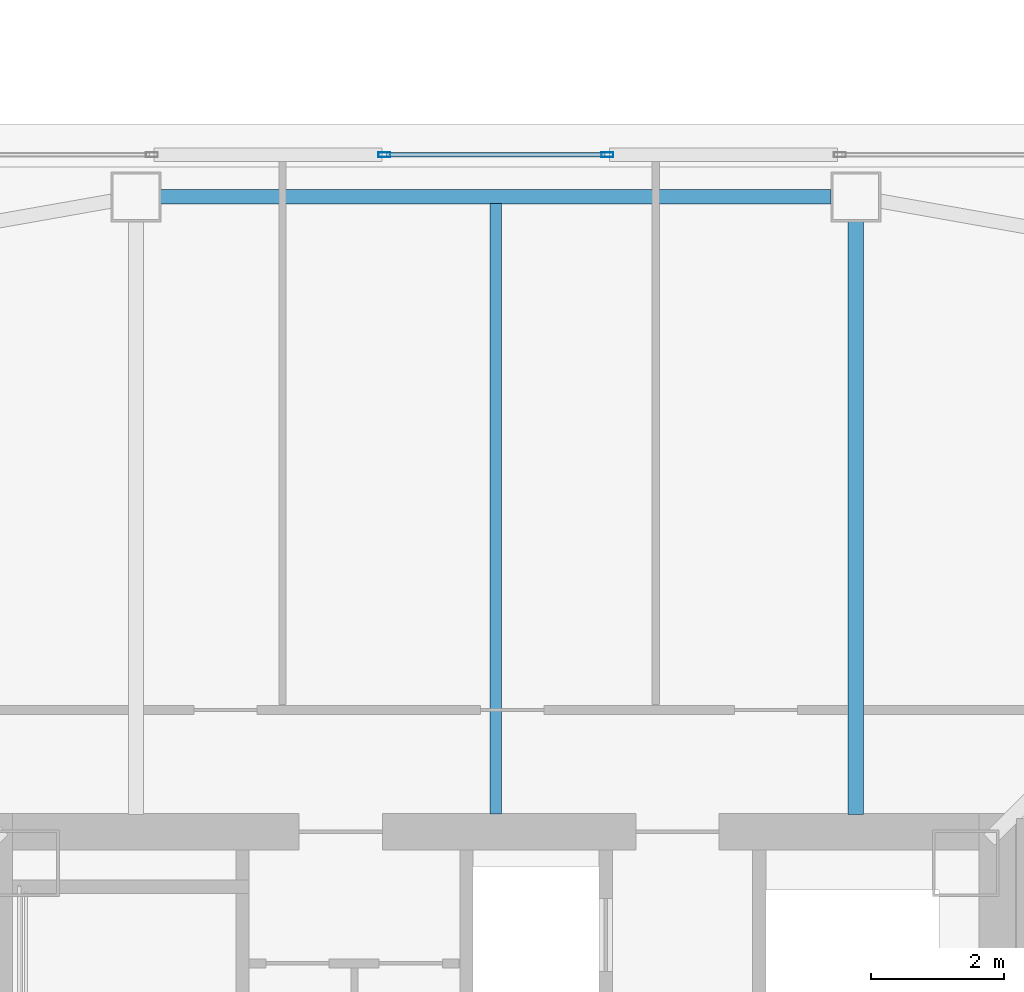
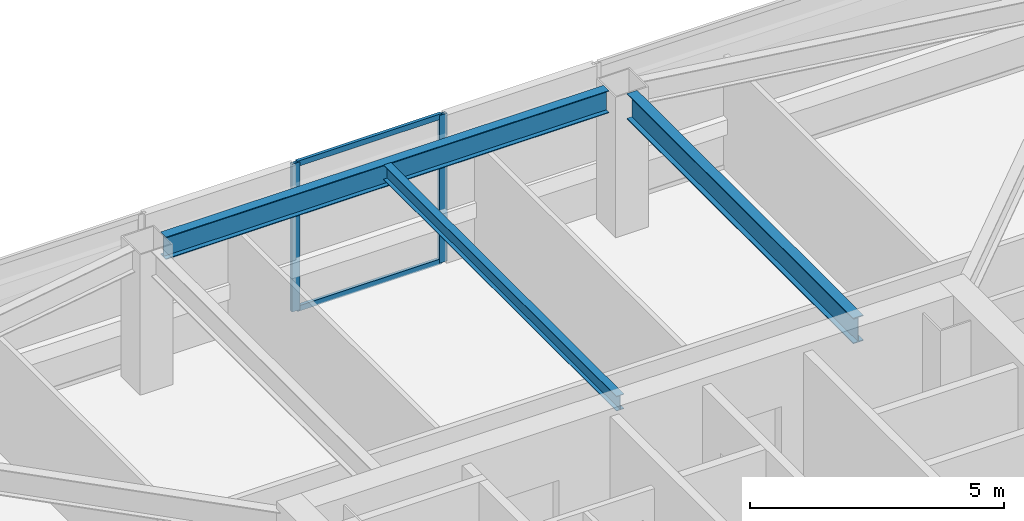
# One storey, part 13 of 43: 4 members, 3 beams, 1 element without a shape of its own.
"""IFC4 building model written with IfcOpenShell, lengths in metres."""

import ifcopenshell
import ifcopenshell.guid

model = None  # the IFC model being written
_history = None  # IfcOwnerHistory: only IFC2X3 demands one
_inside = {}  # id of a spatial element -> (the spatial element, [elements in it])
_under = {}  # id of a project, library or spatial element -> (it, [spatial elements below it])
_declared = {}  # id of a project -> (the project, [libraries it declares])
_typed = {}  # id of a type object -> (the type object, [elements of that type])
_made_of = {}  # id of a material, layer set ... -> (it, [elements and type objects made of it])


def new_model(schema):
    """Start an empty IFC model of exactly this schema.

    Asked for "IFC4X3", IfcOpenShell would pick the latest addendum, in which some entities
    have other attributes; the version numbers below select the first issue.
    IFC2X3 requires an IfcOwnerHistory on every rooted entity: one is made here for all.
    """
    global model, _history
    if schema == "IFC4X3":
        model = ifcopenshell.file(schema_version=(4, 3, 0, 0))
    else:
        model = ifcopenshell.file(schema=schema)
    _inside.clear()
    _under.clear()
    _declared.clear()
    _typed.clear()
    _made_of.clear()
    _history = None
    if model.schema == "IFC2X3":
        org = make("IfcOrganization", Name="unknown")
        user = make(
            "IfcPersonAndOrganization",
            ThePerson=make("IfcPerson", FamilyName="unknown"),
            TheOrganization=org,
        )
        app = make(
            "IfcApplication",
            ApplicationDeveloper=org,
            Version="unknown",
            ApplicationFullName="unknown",
            ApplicationIdentifier="unknown",
        )
        _history = make(
            "IfcOwnerHistory",
            OwningUser=user,
            OwningApplication=app,
            ChangeAction="ADDED",
            CreationDate=0,
        )
    return model


def make(cls, **values):
    """One entity of the class cls with the attributes given. An attribute that is None is left unset."""
    return model.create_entity(
        cls, **{name: value for name, value in values.items() if value is not None}
    )


def rooted(cls, **values):
    """An entity with a GlobalId (a new one), such as an element, a storey or a relation."""
    return make(cls, GlobalId=ifcopenshell.guid.new(), OwnerHistory=_history, **values)


def si_unit(unit_type, name, prefix=None):
    """IfcSIUnit, for example si_unit("LENGTHUNIT", "METRE", prefix="MILLI")."""
    return make("IfcSIUnit", UnitType=unit_type, Prefix=prefix, Name=name)


def assignment(units):
    """IfcUnitAssignment: the units of a project."""
    return None if units is None else make("IfcUnitAssignment", Units=units)


def point(xyz):
    """IfcCartesianPoint."""
    return None if xyz is None else make("IfcCartesianPoint", Coordinates=xyz)


def direction(xyz):
    """IfcDirection."""
    return None if xyz is None else make("IfcDirection", DirectionRatios=xyz)


def frame(location, z_axis=None, x_axis=None):
    """IfcAxis2Placement3D, a coordinate frame: its origin and axes. An axis left out is left unset."""
    return make(
        "IfcAxis2Placement3D",
        Location=point(location),
        Axis=direction(z_axis),
        RefDirection=direction(x_axis),
    )


def frame_2d(location, x_axis=None):
    """IfcAxis2Placement2D, a coordinate frame in the plane: its origin and x axis."""
    return make(
        "IfcAxis2Placement2D", Location=point(location), RefDirection=direction(x_axis)
    )


def origin():
    """The frame at (0, 0, 0) with its axes left unset."""
    return frame((0.0, 0.0, 0.0))


def origin_2d():
    """The frame at (0, 0) in the plane with its x axis left unset."""
    return frame_2d((0.0, 0.0))


def place(relative_to, where):
    """IfcLocalPlacement: puts the frame where relative to a parent placement (None: the world)."""
    return make(
        "IfcLocalPlacement", PlacementRelTo=relative_to, RelativePlacement=where
    )


def context(
    kind, dimensions, precision=None, world=None, true_north=None, identifier=None
):
    """IfcGeometricRepresentationContext, for example the 3D "Model" context."""
    return make(
        "IfcGeometricRepresentationContext",
        ContextIdentifier=identifier,
        ContextType=kind,
        CoordinateSpaceDimension=dimensions,
        Precision=precision,
        WorldCoordinateSystem=world,
        TrueNorth=true_north,
    )


def subcontext(parent, identifier, kind, view, scale=None):
    """IfcGeometricRepresentationSubContext, for example "Body" below "Model"."""
    return make(
        "IfcGeometricRepresentationSubContext",
        ContextIdentifier=identifier,
        ContextType=kind,
        ParentContext=parent,
        TargetScale=scale,
        TargetView=view,
    )


def project(units=None, contexts=None):
    """IfcProject with its units and contexts."""
    return rooted(
        "IfcProject",
        Name="project",
        RepresentationContexts=contexts,
        UnitsInContext=assignment(units),
    )


def spatial(cls, under=None, at=None, **own):
    """A site, building, storey or space (cls), placed at a placement, below another one or the project."""
    s = rooted(cls, ObjectPlacement=at, **own)
    if under is not None:
        _under.setdefault(under.id(), (under, []))[1].append(s)
    return s


def profile(cls, at=None, kind="AREA", **sizes):
    """A parametric profile (cls). Its sizes go by their IFC names, for example OverallWidth=200.0."""
    return make(cls, ProfileType=kind, Position=at, **sizes)


def hollow_rectangle(**sizes):
    """IfcRectangleHollowProfileDef."""
    return profile("IfcRectangleHollowProfileDef", **sizes)


def i_section(**sizes):
    """IfcIShapeProfileDef."""
    return profile("IfcIShapeProfileDef", **sizes)


def extrude(swept, where, along, depth):
    """IfcExtrudedAreaSolid: the profile swept, set in the frame where, extruded along a direction by depth."""
    return make(
        "IfcExtrudedAreaSolid",
        SweptArea=swept,
        Position=where,
        ExtrudedDirection=direction(along),
        Depth=depth,
    )


def shape(context_of_items, identifier, shape_type, items):
    """IfcShapeRepresentation: the items that make up one representation, for example the "Body"."""
    return make(
        "IfcShapeRepresentation",
        ContextOfItems=context_of_items,
        RepresentationIdentifier=identifier,
        RepresentationType=shape_type,
        Items=items,
    )


def material(Name=None, Category=None):
    """IfcMaterial."""
    return make("IfcMaterial", Name=Name, Category=Category)


def material_profile(
    of_material, cross_section, Name=None, Category=None, Priority=None
):
    """IfcMaterialProfile: a cross section and its material."""
    return make(
        "IfcMaterialProfile",
        Name=Name,
        Material=of_material,
        Profile=cross_section,
        Priority=Priority,
        Category=Category,
    )


def profile_set(profiles, Name=None, composite=None):
    """IfcMaterialProfileSet."""
    return make(
        "IfcMaterialProfileSet",
        Name=Name,
        MaterialProfiles=profiles,
        CompositeProfile=composite,
    )


def made_of(thing, what):
    """Note that an element or type object is made of a material, layer set ...; save() writes the relation."""
    if what is not None:
        _made_of.setdefault(what.id(), (what, []))[1].append(thing)
    return thing


def type_object(cls, material=None, **own):
    """A type object (cls), such as IfcWallType, which elements share."""
    return made_of(rooted(cls, **own), material)


def element(
    cls,
    number,
    at=None,
    inside=None,
    cuts=None,
    type_object=None,
    material=None,
    context=None,
    identifier="Body",
    shape_type=None,
    held_by="IfcProductDefinitionShape",
    body=None,
    shapes=None,
    **own,
):
    """One element of the class cls, such as IfcWall. Its Tag is "e" and its number.

    at: its placement. inside: the storey or other place that contains it. cuts: it is an
    opening in that element (IfcRelVoidsElement). A single representation is given by context,
    identifier, shape_type and body (its items); several are given by shapes. held_by: the class
    of the entity that holds the representations. save() writes the other relations.
    """
    e = rooted(cls, Tag="e%d" % number, ObjectPlacement=at, **own)
    if body is not None:
        shapes = [shape(context, identifier, shape_type, body)]
    if shapes is not None:
        e.Representation = make(held_by, Representations=shapes)
    if inside is not None:
        _inside.setdefault(inside.id(), (inside, []))[1].append(e)
    if cuts is not None:
        rooted(
            "IfcRelVoidsElement", RelatingBuildingElement=cuts, RelatedOpeningElement=e
        )
    if type_object is not None:
        _typed.setdefault(type_object.id(), (type_object, []))[1].append(e)
    return made_of(e, material)


def aggregate(whole, parts):
    """IfcRelAggregates: a whole, such as a stair, and the parts it consists of."""
    return rooted("IfcRelAggregates", RelatingObject=whole, RelatedObjects=parts)


def save(model, path):
    """Write the relations noted so far, then the file.

    IfcRelAggregates (storeys below a building ...), IfcRelContainedInSpatialStructure (elements
    in a storey), IfcRelDefinesByType, IfcRelAssociatesMaterial and IfcRelDeclares: one each for
    every whole, place, type object, material and project.
    """
    for whole, parts in _under.values():
        aggregate(whole, parts)
    for where, things in _inside.values():
        rooted(
            "IfcRelContainedInSpatialStructure",
            RelatedElements=things,
            RelatingStructure=where,
        )
    for kind, things in _typed.values():
        rooted("IfcRelDefinesByType", RelatedObjects=things, RelatingType=kind)
    for what, things in _made_of.values():
        rooted("IfcRelAssociatesMaterial", RelatedObjects=things, RelatingMaterial=what)
    for by, libraries in _declared.values():
        rooted("IfcRelDeclares", RelatingContext=by, RelatedDefinitions=libraries)
    model.write(path)


model = new_model("IFC4")

# Units and contexts
model_context = context("Model", 3, precision=1e-05, world=origin(), true_north=direction((0.0, 1.0)))
body_context = subcontext(model_context, "Body", "Model", "MODEL_VIEW")
ifc_project = project(units=[si_unit("LENGTHUNIT", "METRE"), si_unit("AREAUNIT", "SQUARE_METRE"), si_unit("VOLUMEUNIT", "CUBIC_METRE"), si_unit("PLANEANGLEUNIT", "RADIAN"), si_unit("MASSUNIT", "GRAM", prefix="KILO")], contexts=[model_context])

# Site, building, storey
site_placement = place(None, origin())
site = spatial("IfcSite", under=ifc_project, at=site_placement, CompositionType="ELEMENT")
building_placement = place(site_placement, origin())
building = spatial("IfcBuilding", under=site, at=building_placement, Name="Tashvorn Skyway Center", CompositionType="ELEMENT")
storey_placement = place(building_placement, frame((0.0, 0.0, 188.949951171875)))
storey = spatial("IfcBuildingStorey", under=building, at=storey_placement, Name="L51", CompositionType="ELEMENT", Elevation=188.949951171875)

# Beams
ifc_material_1 = material(Name="Steel ASTM A992 Grade 50", Category="steel")
ifc_material_profile_1 = material_profile(ifc_material_1, i_section(OverallWidth=0.22998046875, OverallDepth=0.616943359375, WebThickness=0.01318359375, FlangeThickness=0.022216796875, at=origin_2d()), Name="W24X94")
ifc_profile_set_1 = profile_set([ifc_material_profile_1], Name="Steel ASTM A992 Grade 50")
beam_type_1 = type_object("IfcBeamType", Name="BM-BEAM-W24X94", PredefinedType="BEAM", material=ifc_profile_set_1)
beam_1_placement = place(storey_placement, frame((47.39990234375, 48.679931640625, 3.0615234375), z_axis=(0.0, -1.0, 0.0), x_axis=(1.0, 0.0, 0.0)))
element("IfcBeam", 1, at=beam_1_placement, inside=storey, type_object=beam_type_1, Name="Tower 1 L51 Primary Floor Girder FC-N1", PredefinedType="BEAM", context=body_context, shape_type="SweptSolid", body=[
    extrude(i_section(OverallWidth=0.22998046875, OverallDepth=0.616943359375, WebThickness=0.01318359375, FlangeThickness=0.022216796875, at=origin_2d()), origin(), (0.0, 0.0, 1.0), 8.89990234375),
])
ifc_material_profile_2 = material_profile(ifc_material_1, i_section(OverallWidth=0.1708984375, OverallDepth=0.35498046875, WebThickness=0.007080078125, FlangeThickness=0.01171875, at=origin_2d()), Name="W14X34")
ifc_profile_set_2 = profile_set([ifc_material_profile_2], Name="Steel ASTM A992 Grade 50")
beam_type_2 = type_object("IfcBeamType", Name="BM-JOIST-W14X34", PredefinedType="JOIST", material=ifc_profile_set_2)
beam_2_placement = place(storey_placement, frame((42.0, 39.7900390625, 3.192626953125), z_axis=(0.0, 1.0, 0.0), x_axis=(-1.0, 0.0, 0.0)))
element("IfcBeam", 2, at=beam_2_placement, inside=storey, type_object=beam_type_2, Name="Tower 1 L51 Secondary Composite Joist JN", PredefinedType="JOIST", context=body_context, shape_type="SweptSolid", body=[
    extrude(i_section(OverallWidth=0.1708984375, OverallDepth=0.35498046875, WebThickness=0.007080078125, FlangeThickness=0.01171875, at=origin_2d()), origin(), (0.0, 0.0, 1.0), 9.162353515625),
])
ifc_material_profile_3 = material_profile(ifc_material_1, i_section(OverallWidth=0.2109375, OverallDepth=0.5390625, WebThickness=0.01171875, FlangeThickness=0.018798828125, at=origin_2d()), Name="W21X73")
ifc_profile_set_3 = profile_set([ifc_material_profile_3], Name="Steel ASTM A992 Grade 50")
beam_type_3 = type_object("IfcBeamType", Name="BM-SPANDREL-W21X73", PredefinedType="SPANDREL", material=ifc_profile_set_3)
beam_3_placement = place(storey_placement, frame((47.030029296875, 49.050048828125, 3.1005859375), z_axis=(-1.0, 0.0, 0.0), x_axis=(0.0, -1.0, 0.0)))
element("IfcBeam", 3, at=beam_3_placement, inside=storey, type_object=beam_type_3, Name="Tower 1 L51 Spandrel Beam 08", PredefinedType="SPANDREL", context=body_context, shape_type="SweptSolid", body=[
    extrude(i_section(OverallWidth=0.2109375, OverallDepth=0.5390625, WebThickness=0.01171875, FlangeThickness=0.018798828125, at=origin_2d()), origin(), (0.0, 0.0, 1.0), 10.06005859375),
])

# Curtain wall, members
ifc_material_2 = material(Name="Thermally broken bronze-anodized aluminium 6063-T6", Category="aluminium")
curtain_wall_type = type_object("IfcCurtainWallType", Name="CW-CW-Z4", PredefinedType="NOTDEFINED", material=ifc_material_2)
curtain_wall_placement = place(storey_placement, origin())
curtain_wall = element("IfcCurtainWall", 4, at=curtain_wall_placement, inside=storey, type_object=curtain_wall_type, Name="Tower 1 L51 North Unitised Curtain Wall Glazing Group 2", PredefinedType="NOTDEFINED")
ifc_material_profile_4 = material_profile(ifc_material_2, hollow_rectangle(XDim=0.070068359375, YDim=0.179931640625, WallThickness=0.00390625, at=origin_2d()), Name="ALU-MULL-70x180")
ifc_profile_set_4 = profile_set([ifc_material_profile_4], Name="Thermally broken bronze-anodized aluminium 6063-T6")
member_type_1 = type_object("IfcMemberType", Name="CWM-CW-Z4", PredefinedType="MULLION", material=ifc_profile_set_4)
member_1_placement = place(storey_placement, frame((40.326171875, 49.679931640625, 0.0), z_axis=(0.0, 0.0, 1.0), x_axis=(0.0, 1.0, 0.0)))
member_1 = element("IfcMember", 5, at=member_1_placement, type_object=member_type_1, Name="CW-Z4 mullion 1", PredefinedType="MULLION", context=body_context, shape_type="SweptSolid", body=[
    extrude(hollow_rectangle(XDim=0.070068359375, YDim=0.179931640625, WallThickness=0.00390625, at=origin_2d()), origin(), (0.0, 0.0, 1.0), 3.550048828125),
])
member_2_placement = place(storey_placement, frame((43.673828125, 49.679931640625, 0.0), z_axis=(0.0, 0.0, 1.0), x_axis=(0.0, 1.0, 0.0)))
member_2 = element("IfcMember", 6, at=member_2_placement, type_object=member_type_1, Name="CW-Z4 mullion 2", PredefinedType="MULLION", context=body_context, shape_type="SweptSolid", body=[
    extrude(hollow_rectangle(XDim=0.070068359375, YDim=0.179931640625, WallThickness=0.00390625, at=origin_2d()), origin(), (0.0, 0.0, 1.0), 3.550048828125),
])
ifc_material_profile_5 = material_profile(ifc_material_2, hollow_rectangle(XDim=0.070068359375, YDim=0.1298828125, WallThickness=0.00390625, at=origin_2d()), Name="ALU-TRAN-70x130")
ifc_profile_set_5 = profile_set([ifc_material_profile_5], Name="Thermally broken bronze-anodized aluminium 6063-T6")
member_type_2 = type_object("IfcMemberType", Name="CWT-CW-Z4", PredefinedType="USERDEFINED", material=ifc_profile_set_5)
member_3_placement = place(storey_placement, frame((40.361083984375, 49.679931640625, 0.03515625), z_axis=(1.0, 0.0, 0.0), x_axis=(0.0, 1.0, 0.0)))
member_3 = element("IfcMember", 7, at=member_3_placement, type_object=member_type_2, Name="CW-Z4 transom 1.1", ObjectType="TRANSOM", PredefinedType="USERDEFINED", context=body_context, shape_type="SweptSolid", body=[
    extrude(hollow_rectangle(XDim=0.070068359375, YDim=0.1298828125, WallThickness=0.00390625, at=origin_2d()), origin(), (0.0, 0.0, 1.0), 3.27783203125),
])
member_4_placement = place(storey_placement, frame((40.361083984375, 49.679931640625, 3.51513671875), z_axis=(1.0, 0.0, 0.0), x_axis=(0.0, 1.0, 0.0)))
member_4 = element("IfcMember", 8, at=member_4_placement, type_object=member_type_2, Name="CW-Z4 transom 1.2", ObjectType="TRANSOM", PredefinedType="USERDEFINED", context=body_context, shape_type="SweptSolid", body=[
    extrude(hollow_rectangle(XDim=0.070068359375, YDim=0.1298828125, WallThickness=0.00390625, at=origin_2d()), origin(), (0.0, 0.0, 1.0), 3.27783203125),
])
aggregate(curtain_wall, [member_1, member_2, member_3, member_4])

save(model, "model.ifc")
